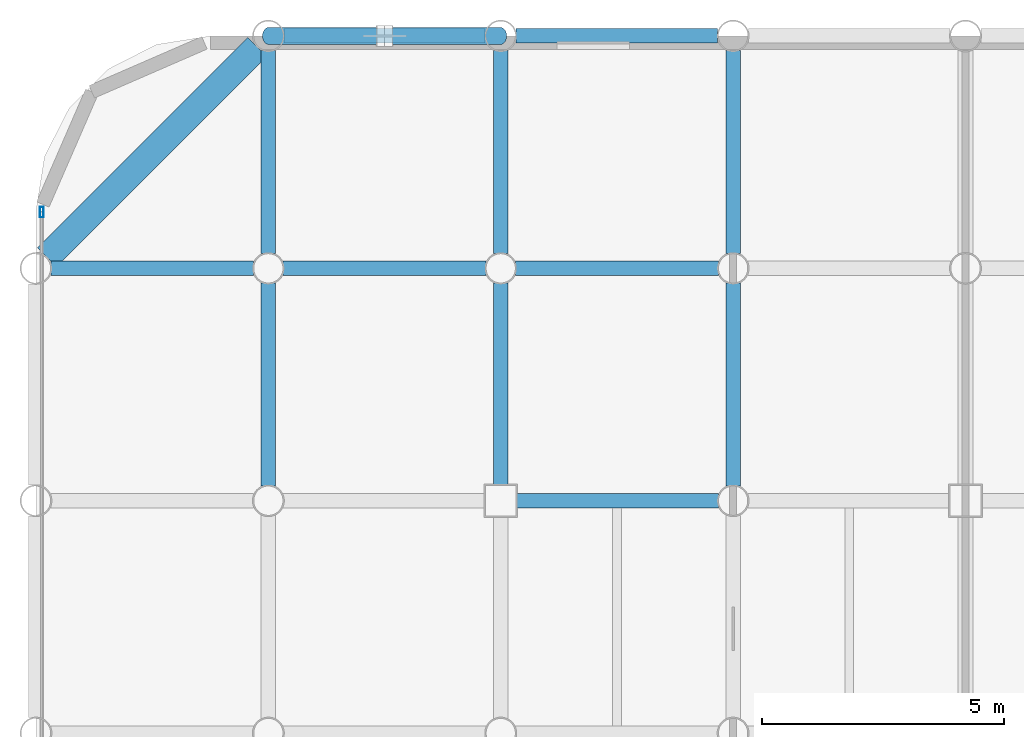
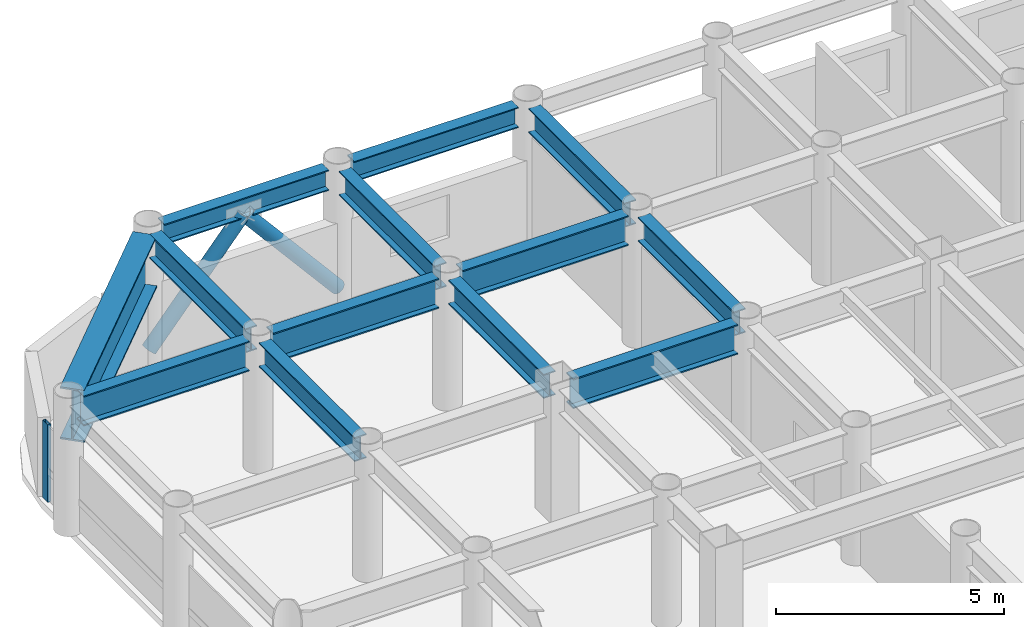
# One storey, part 10 of 20: 13 beams, 3 members, 1 element without a shape of its own.
"""IFC4 building model written with IfcOpenShell, lengths in metres."""

from ifc_helpers import new_model, si_unit, direction, frame, origin, origin_2d, place, context, subcontext, project, spatial, hollow_rectangle, hollow_circle, i_section, extrude, material, layer, layer_set, material_profile, profile_set, type_object, element, aggregate, save


model = new_model("IFC4")

# Units and contexts
model_context = context("Model", 3, precision=1e-05, world=origin(), true_north=direction((0.0, 1.0)))
body_context = subcontext(model_context, "Body", "Model", "MODEL_VIEW")
ifc_project = project(units=[si_unit("LENGTHUNIT", "METRE"), si_unit("AREAUNIT", "SQUARE_METRE"), si_unit("VOLUMEUNIT", "CUBIC_METRE"), si_unit("PLANEANGLEUNIT", "RADIAN"), si_unit("MASSUNIT", "GRAM", prefix="KILO")], contexts=[model_context])

# Site, building, storey
site_placement = place(None, origin())
site = spatial("IfcSite", under=ifc_project, at=site_placement, CompositionType="ELEMENT")
building_placement = place(site_placement, origin())
building = spatial("IfcBuilding", under=site, at=building_placement, Name="Kallvorn Hotel Tower", CompositionType="ELEMENT")
storey_placement = place(building_placement, frame((0.0, 0.0, 143.300048828125)))
storey = spatial("IfcBuildingStorey", under=building, at=storey_placement, Name="L35", CompositionType="ELEMENT", Elevation=143.300048828125)

# Beams
ifc_material_1 = material(Name="Structural steel S355JR", Category="steel")
ifc_material_profile_1 = material_profile(ifc_material_1, i_section(OverallWidth=0.300048828125, OverallDepth=0.550048828125, WebThickness=0.014892578125, FlangeThickness=0.029052734375, at=origin_2d()), Name="HE 550 B")
ifc_profile_set_1 = profile_set([ifc_material_profile_1], Name="Structural steel S355JR")
beam_type_1 = type_object("IfcBeamType", Name="BM_HE550B", PredefinedType="SPANDREL", material=ifc_profile_set_1)
for number, where, z_axis, x_axis, name in (
    (1, (-28.47998046875, 24.0, 3.244873046875), (1.0, 0.0, 0.0), (0.0, 1.0, 0.0), "L36 Perimeter Spandrel 163"),
    (2, (-23.679931640625, 24.0, 3.244873046875), (1.0, 0.0, 0.0), (0.0, 1.0, 0.0), "L36 Perimeter Spandrel 164"),
):
    element("IfcBeam", number, at=place(storey_placement, frame(where, z_axis=z_axis, x_axis=x_axis)), inside=storey, type_object=beam_type_1, Name=name, PredefinedType="SPANDREL", context=body_context, shape_type="SweptSolid", body=[
        extrude(i_section(OverallWidth=0.300048828125, OverallDepth=0.550048828125, WebThickness=0.014892578125, FlangeThickness=0.029052734375, at=origin_2d()), origin(), (0.0, 0.0, 1.0), 4.159912109375),
    ])
ifc_material_2 = material(Name="Structural steel S355JR", Category="steel")
ifc_material_profile_2 = material_profile(ifc_material_2, i_section(OverallWidth=0.300048828125, OverallDepth=0.64990234375, WebThickness=0.01611328125, FlangeThickness=0.031005859375, at=origin_2d()), Name="HE 650 B")
ifc_profile_set_2 = profile_set([ifc_material_profile_2], Name="Structural steel S355JR")
beam_type_2 = type_object("IfcBeamType", Name="BM_HE650B", PredefinedType="BEAM", material=ifc_profile_set_2)
beam_1_placement = place(storey_placement, frame((-28.800048828125, 14.705078125, 3.195068359375), z_axis=(0.0, 1.0, 0.0), x_axis=(-1.0, 0.0, 0.0)))
element("IfcBeam", 3, at=beam_1_placement, inside=storey, type_object=beam_type_2, Name="L36 Primary Y-Girder 80", PredefinedType="BEAM", context=body_context, shape_type="SweptSolid", body=[
    extrude(i_section(OverallWidth=0.300048828125, OverallDepth=0.64990234375, WebThickness=0.01611328125, FlangeThickness=0.031005859375, at=origin_2d()), origin(), (0.0, 0.0, 1.0), 4.18994140625),
])
beam_2_placement = place(storey_placement, frame((-28.800048828125, 19.5048828125, 3.195068359375), z_axis=(0.0, 1.0, 0.0), x_axis=(-1.0, 0.0, 0.0)))
element("IfcBeam", 4, at=beam_2_placement, inside=storey, type_object=beam_type_2, Name="L36 Primary Y-Girder 81", PredefinedType="BEAM", context=body_context, shape_type="SweptSolid", body=[
    extrude(i_section(OverallWidth=0.300048828125, OverallDepth=0.64990234375, WebThickness=0.01611328125, FlangeThickness=0.031005859375, at=origin_2d()), origin(), (0.0, 0.0, 1.0), 4.190185546875),
])
beam_3_placement = place(storey_placement, frame((-24.0, 14.72509765625, 3.195068359375), z_axis=(0.0, 1.0, 0.0), x_axis=(-1.0, 0.0, 0.0)))
element("IfcBeam", 5, at=beam_3_placement, inside=storey, type_object=beam_type_2, Name="L36 Primary Y-Girder 87", PredefinedType="BEAM", context=body_context, shape_type="SweptSolid", body=[
    extrude(i_section(OverallWidth=0.300048828125, OverallDepth=0.64990234375, WebThickness=0.01611328125, FlangeThickness=0.031005859375, at=origin_2d()), origin(), (0.0, 0.0, 1.0), 4.169921875),
])
beam_4_placement = place(storey_placement, frame((-24.0, 19.5048828125, 3.195068359375), z_axis=(0.0, 1.0, 0.0), x_axis=(-1.0, 0.0, 0.0)))
element("IfcBeam", 6, at=beam_4_placement, inside=storey, type_object=beam_type_2, Name="L36 Primary Y-Girder 88", PredefinedType="BEAM", context=body_context, shape_type="SweptSolid", body=[
    extrude(i_section(OverallWidth=0.300048828125, OverallDepth=0.64990234375, WebThickness=0.01611328125, FlangeThickness=0.031005859375, at=origin_2d()), origin(), (0.0, 0.0, 1.0), 4.190185546875),
])
beam_5_placement = place(storey_placement, frame((-19.199951171875, 14.705078125, 3.195068359375), z_axis=(0.0, 1.0, 0.0), x_axis=(-1.0, 0.0, 0.0)))
element("IfcBeam", 7, at=beam_5_placement, inside=storey, type_object=beam_type_2, Name="L36 Primary Y-Girder 96", PredefinedType="BEAM", context=body_context, shape_type="SweptSolid", body=[
    extrude(i_section(OverallWidth=0.300048828125, OverallDepth=0.64990234375, WebThickness=0.01611328125, FlangeThickness=0.031005859375, at=origin_2d()), origin(), (0.0, 0.0, 1.0), 4.18994140625),
])
beam_6_placement = place(storey_placement, frame((-19.199951171875, 19.5048828125, 3.195068359375), z_axis=(0.0, 1.0, 0.0), x_axis=(-1.0, 0.0, 0.0)))
element("IfcBeam", 8, at=beam_6_placement, inside=storey, type_object=beam_type_2, Name="L36 Primary Y-Girder 97", PredefinedType="BEAM", context=body_context, shape_type="SweptSolid", body=[
    extrude(i_section(OverallWidth=0.300048828125, OverallDepth=0.64990234375, WebThickness=0.01611328125, FlangeThickness=0.031005859375, at=origin_2d()), origin(), (0.0, 0.0, 1.0), 4.190185546875),
])
ifc_material_3 = material(Name="Structural steel S355JR", Category="steel")
ifc_material_profile_3 = material_profile(ifc_material_3, i_section(OverallWidth=0.300048828125, OverallDepth=0.800048828125, WebThickness=0.017578125, FlangeThickness=0.032958984375, at=origin_2d()), Name="HE 800 B")
ifc_profile_set_3 = profile_set([ifc_material_profile_3], Name="Structural steel S355JR")
beam_type_3 = type_object("IfcBeamType", Name="BM_HE800B", PredefinedType="BEAM", material=ifc_profile_set_3)
beam_7_placement = place(storey_placement, frame((-23.675048828125, 14.39990234375, 3.119873046875), z_axis=(1.0, 0.0, 0.0), x_axis=(0.0, 1.0, 0.0)))
element("IfcBeam", 9, at=beam_7_placement, inside=storey, type_object=beam_type_3, Name="L36 Primary X-Girder 52", PredefinedType="BEAM", context=body_context, shape_type="SweptSolid", body=[
    extrude(i_section(OverallWidth=0.300048828125, OverallDepth=0.800048828125, WebThickness=0.017578125, FlangeThickness=0.032958984375, at=origin_2d()), origin(), (0.0, 0.0, 1.0), 4.170166015625),
])
beam_8_placement = place(storey_placement, frame((-33.294921875, 19.199951171875, 3.119873046875), z_axis=(1.0, 0.0, 0.0), x_axis=(0.0, 1.0, 0.0)))
element("IfcBeam", 10, at=beam_8_placement, inside=storey, type_object=beam_type_3, Name="L36 Primary X-Girder 60", PredefinedType="BEAM", context=body_context, shape_type="SweptSolid", body=[
    extrude(i_section(OverallWidth=0.300048828125, OverallDepth=0.800048828125, WebThickness=0.017578125, FlangeThickness=0.032958984375, at=origin_2d()), origin(), (0.0, 0.0, 1.0), 4.18994140625),
])
for number, where, z_axis, x_axis, name in (
    (11, (-28.4951171875, 19.199951171875, 3.119873046875), (1.0, 0.0, 0.0), (0.0, 1.0, 0.0), "L36 Primary X-Girder 61"),
    (12, (-23.695068359375, 19.199951171875, 3.119873046875), (1.0, 0.0, 0.0), (0.0, 1.0, 0.0), "L36 Primary X-Girder 62"),
):
    element("IfcBeam", number, at=place(storey_placement, frame(where, z_axis=z_axis, x_axis=x_axis)), inside=storey, type_object=beam_type_3, Name=name, PredefinedType="BEAM", context=body_context, shape_type="SweptSolid", body=[
        extrude(i_section(OverallWidth=0.300048828125, OverallDepth=0.800048828125, WebThickness=0.017578125, FlangeThickness=0.032958984375, at=origin_2d()), origin(), (0.0, 0.0, 1.0), 4.190185546875),
    ])
ifc_material_4 = material(Name="Structural steel S355JR", Category="steel")
ifc_material_profile_4 = material_profile(ifc_material_4, i_section(OverallWidth=0.550048828125, OverallDepth=1.39990234375, WebThickness=0.02490234375, FlangeThickness=0.044921875, at=origin_2d()), Name="PG 1400x550x25x45")
ifc_profile_set_4 = profile_set([ifc_material_profile_4], Name="Structural steel S355JR")
beam_type_4 = type_object("IfcBeamType", Name="BM_PG_1400", PredefinedType="BEAM", material=ifc_profile_set_4)
beam_9_placement = place(storey_placement, frame((-33.373779296875, 19.42626953125, 2.820068359375), z_axis=(0.707106781187, 0.707106781187, 0.0), x_axis=(-0.707106781187, 0.707106781187, 0.0)))
element("IfcBeam", 13, at=beam_9_placement, inside=storey, type_object=beam_type_4, Name="L36 Rounded Corner Tie Beam 190", PredefinedType="BEAM", context=body_context, shape_type="SweptSolid", body=[
    extrude(i_section(OverallWidth=0.550048828125, OverallDepth=1.39990234375, WebThickness=0.02490234375, FlangeThickness=0.044921875, at=origin_2d()), origin(), (0.0, 0.0, 1.0), 6.148193359375),
])

# Curtain wall, member
ifc_material_5 = material(Name="Thermally broken black-anodised aluminium AA 6063-T6", Category="aluminium")
ifc_layer = layer(ifc_material_5, 0.2099609375)
ifc_layer_set = layer_set([ifc_layer], Name="CW_SYS_4_HOTEL_MID")
curtain_wall_type = type_object("IfcCurtainWallType", Name="CW_SYS_4_HOTEL_MID", PredefinedType="USERDEFINED", material=ifc_layer_set)
curtain_wall_placement = place(storey_placement, origin())
curtain_wall = element("IfcCurtainWall", 14, at=curtain_wall_placement, inside=storey, type_object=curtain_wall_type, Name="L35 Dark-Glass Curtain Wall CW-L35-WN", ObjectType="UNITISED CURTAIN WALL", PredefinedType="USERDEFINED")
ifc_material_6 = material(Name="Thermally broken black-anodised aluminium AA 6063-T6", Category="aluminium")
ifc_material_profile_5 = material_profile(ifc_material_6, hollow_rectangle(XDim=0.080078125, YDim=0.219970703125, WallThickness=0.0048828125, at=origin_2d()), Name="MUL 220x80")
ifc_profile_set_5 = profile_set([ifc_material_profile_5], Name="Thermally broken black-anodised aluminium AA 6063-T6")
member_type_1 = type_object("IfcMemberType", Name="CW_MULLION_220x80", PredefinedType="MULLION", material=ifc_profile_set_5)
member_placement = place(storey_placement, frame((-33.47998046875, 20.360107421875, 0.02001953125), z_axis=(0.0, 0.0, 1.0), x_axis=(1.0, 0.0, 0.0)))
member = element("IfcMember", 15, at=member_placement, type_object=member_type_1, Name="CW-L35-WN Mullion 01", PredefinedType="MULLION", context=body_context, shape_type="SweptSolid", body=[
    extrude(hollow_rectangle(XDim=0.080078125, YDim=0.219970703125, WallThickness=0.0048828125, at=origin_2d()), origin(), (0.0, 0.0, 1.0), 2.079833984375),
])
aggregate(curtain_wall, [member])

# Members
ifc_material_7 = material(Name="Structural steel S355J2H", Category="steel")
ifc_material_profile_6 = material_profile(ifc_material_7, hollow_circle(Radius=0.177734375, WallThickness=0.01416015625, at=origin_2d()), Name="CHS 355.6x14.2")
ifc_profile_set_6 = profile_set([ifc_material_profile_6], Name="Structural steel S355J2H")
member_type_2 = type_object("IfcMemberType", Name="MBR_EXO_CHS355", PredefinedType="BRACE", material=ifc_profile_set_6)
for number, where, z_axis, x_axis, name in (
    (16, (-28.787109375, 24.0, 0.1953125), (0.646833296797, 0.0, 0.762631422218), (0.0, 1.0, 0.0), "L35 Exoskeleton K-Brace N1A"),
    (17, (-24.012939453125, 24.0, 0.1953125), (-0.646833296797, 0.0, 0.762631422218), (0.0, -1.0, 0.0), "L35 Exoskeleton K-Brace N1B"),
):
    element("IfcMember", number, at=place(storey_placement, frame(where, z_axis=z_axis, x_axis=x_axis)), inside=storey, type_object=member_type_2, Name=name, PredefinedType="BRACE", context=body_context, shape_type="SweptSolid", body=[
        extrude(hollow_circle(Radius=0.177734375, WallThickness=0.01416015625, at=origin_2d()), origin(), (0.0, 0.0, 1.0), 3.670654296875),
    ])

save(model, "model.ifc")
